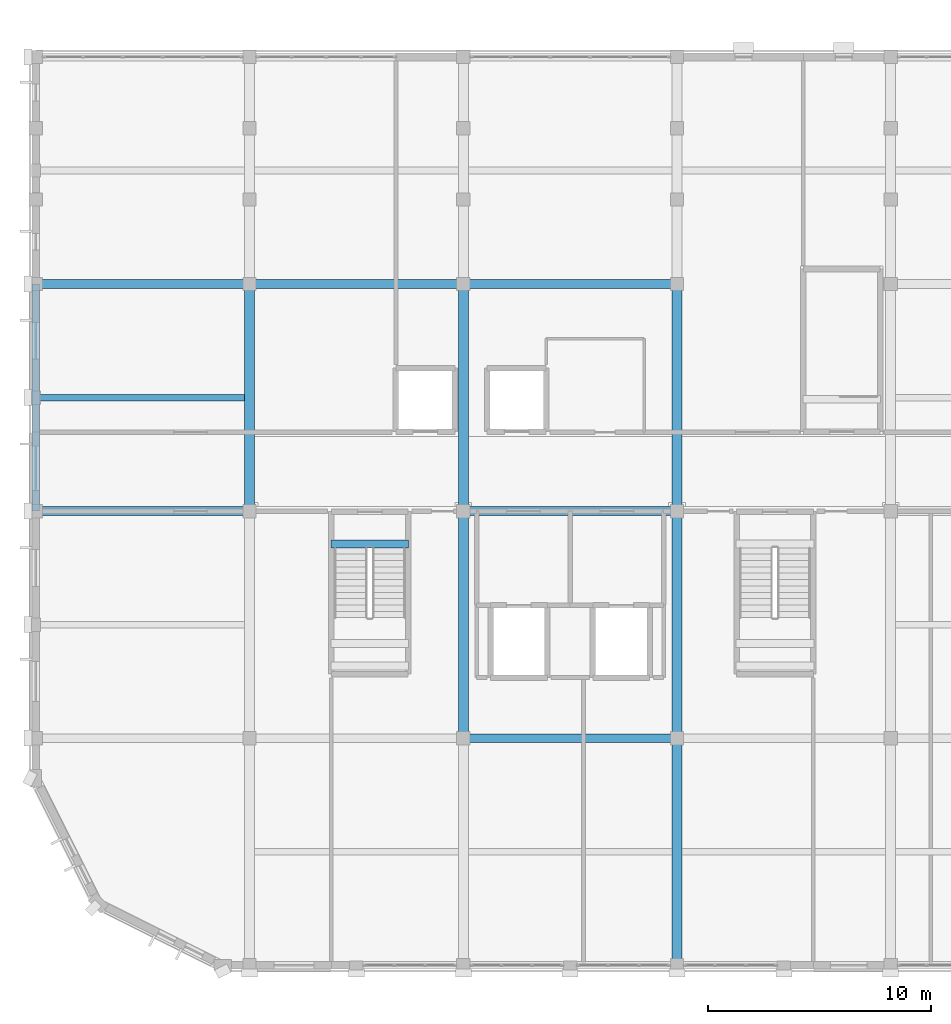
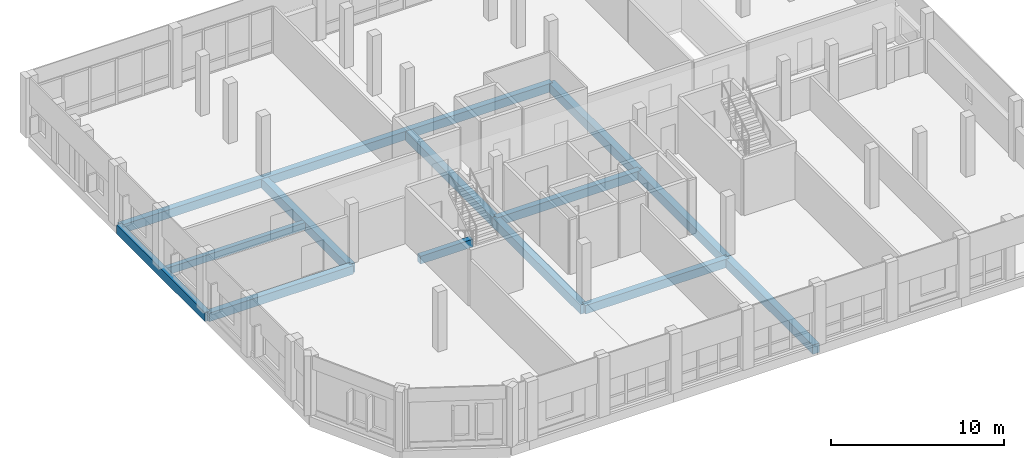
# One storey, part 13 of 93: 15 beams.
"""IFC4 building model written with IfcOpenShell, lengths in metres."""

from ifc_helpers import new_model, si_unit, direction, frame, origin, origin_2d, place, context, subcontext, project, spatial, rectangle, extrude, material, material_profile, profile_set, type_object, element, save


model = new_model("IFC4")

# Units and contexts
model_context = context("Model", 3, precision=1e-05, world=origin(), true_north=direction((0.0, 1.0)))
body_context = subcontext(model_context, "Body", "Model", "MODEL_VIEW")
ifc_project = project(units=[si_unit("LENGTHUNIT", "METRE"), si_unit("AREAUNIT", "SQUARE_METRE"), si_unit("VOLUMEUNIT", "CUBIC_METRE"), si_unit("PLANEANGLEUNIT", "RADIAN"), si_unit("MASSUNIT", "GRAM", prefix="KILO")], contexts=[model_context])

# Site, building, storey
site_placement = place(None, origin())
site = spatial("IfcSite", under=ifc_project, at=site_placement, CompositionType="ELEMENT")
building_placement = place(site_placement, origin())
building = spatial("IfcBuilding", under=site, at=building_placement, Name="Vondelvale Polytechnic", CompositionType="ELEMENT")
storey_placement = place(building_placement, frame((0.0, 0.0, 18.0)))
storey = spatial("IfcBuildingStorey", under=building, at=storey_placement, Name="L04", CompositionType="ELEMENT", Elevation=18.0)

# Beams
ifc_material_1 = material(Name="Concrete N40 (f'c = 40 MPa)", Category="concrete")
ifc_material_profile_1 = material_profile(ifc_material_1, rectangle(XDim=0.35009765625, YDim=0.550048828125, at=origin_2d()), Name="RC-BM-350x550")
ifc_profile_set_1 = profile_set([ifc_material_profile_1], Name="Concrete N40 (f'c = 40 MPa)")
beam_type_1 = type_object("IfcBeamType", Name="BM-RC350x550", PredefinedType="BEAM", material=ifc_profile_set_1)
beam_1_placement = place(storey_placement, frame((13.25, 18.925048828125, -0.27490234375), z_axis=(1.0, 0.0, 0.0), x_axis=(0.0, 1.0, 0.0)))
element("IfcBeam", 1, at=beam_1_placement, inside=storey, type_object=beam_type_1, Name="L04 STHD B-06", PredefinedType="BEAM", context=body_context, shape_type="SweptSolid", body=[
    extrude(rectangle(XDim=0.35009765625, YDim=0.550048828125, at=origin_2d()), origin(), (0.0, 0.0, 1.0), 3.5),
])
ifc_material_profile_2 = material_profile(ifc_material_1, rectangle(XDim=0.39990234375, YDim=0.60009765625, at=origin_2d()), Name="RC-BM-400x600")
ifc_profile_set_2 = profile_set([ifc_material_profile_2], Name="Concrete N40 (f'c = 40 MPa)")
beam_type_2 = type_object("IfcBeamType", Name="BM-RC400x600", PredefinedType="BEAM", material=ifc_profile_set_2)
for number, where, z_axis, x_axis, name in (
    (2, (19.199951171875, 10.199951171875, -0.550048828125), (1.0, 0.0, 0.0), (0.0, 1.0, 0.0), "L04 B B-05"),
    (3, (0.0, 20.39990234375, -0.550048828125), (1.0, 0.0, 0.0), (0.0, 1.0, 0.0), "L04 B B-05"),
    (4, (19.199951171875, 20.39990234375, -0.550048828125), (1.0, 0.0, 0.0), (0.0, 1.0, 0.0), "L04 B B-05"),
    (5, (0.0, 30.60009765625, -0.550048828125), (1.0, 0.0, 0.0), (0.0, 1.0, 0.0), "L04 B B-05"),
):
    element("IfcBeam", number, at=place(storey_placement, frame(where, z_axis=z_axis, x_axis=x_axis)), inside=storey, type_object=beam_type_2, Name=name, PredefinedType="BEAM", context=body_context, shape_type="SweptSolid", body=[
        extrude(rectangle(XDim=0.39990234375, YDim=0.60009765625, at=origin_2d()), origin(), (0.0, 0.0, 1.0), 9.60009765625),
    ])
beam_2_placement = place(storey_placement, frame((9.60009765625, 30.60009765625, -0.550048828125), z_axis=(1.0, 0.0, 0.0), x_axis=(0.0, 1.0, 0.0)))
element("IfcBeam", 6, at=beam_2_placement, inside=storey, type_object=beam_type_2, Name="L04 B B-05", PredefinedType="BEAM", context=body_context, shape_type="SweptSolid", body=[
    extrude(rectangle(XDim=0.39990234375, YDim=0.60009765625, at=origin_2d()), origin(), (0.0, 0.0, 1.0), 9.599853515625),
])
beam_3_placement = place(storey_placement, frame((19.199951171875, 30.60009765625, -0.550048828125), z_axis=(1.0, 0.0, 0.0), x_axis=(0.0, 1.0, 0.0)))
element("IfcBeam", 7, at=beam_3_placement, inside=storey, type_object=beam_type_2, Name="L04 B B-05", PredefinedType="BEAM", context=body_context, shape_type="SweptSolid", body=[
    extrude(rectangle(XDim=0.39990234375, YDim=0.60009765625, at=origin_2d()), origin(), (0.0, 0.0, 1.0), 9.60009765625),
])
ifc_material_profile_3 = material_profile(ifc_material_1, rectangle(XDim=0.449951171875, YDim=0.64990234375, at=origin_2d()), Name="RC-BM-450x650")
ifc_profile_set_3 = profile_set([ifc_material_profile_3], Name="Concrete N40 (f'c = 40 MPa)")
beam_type_3 = type_object("IfcBeamType", Name="BM-RC450x650", PredefinedType="BEAM", material=ifc_profile_set_3)
beam_4_placement = place(storey_placement, frame((9.60009765625, 20.39990234375, -0.574951171875), z_axis=(0.0, 1.0, 0.0), x_axis=(-1.0, 0.0, 0.0)))
element("IfcBeam", 8, at=beam_4_placement, inside=storey, type_object=beam_type_3, Name="L04 B B-04", PredefinedType="BEAM", context=body_context, shape_type="SweptSolid", body=[
    extrude(rectangle(XDim=0.449951171875, YDim=0.64990234375, at=origin_2d()), origin(), (0.0, 0.0, 1.0), 10.2001953125),
])
beam_5_placement = place(storey_placement, frame((19.199951171875, 10.199951171875, -0.574951171875), z_axis=(0.0, 1.0, 0.0), x_axis=(-1.0, 0.0, 0.0)))
element("IfcBeam", 9, at=beam_5_placement, inside=storey, type_object=beam_type_3, Name="L04 B B-04", PredefinedType="BEAM", context=body_context, shape_type="SweptSolid", body=[
    extrude(rectangle(XDim=0.449951171875, YDim=0.64990234375, at=origin_2d()), origin(), (0.0, 0.0, 1.0), 10.199951171875),
])
beam_6_placement = place(storey_placement, frame((19.199951171875, 20.39990234375, -0.574951171875), z_axis=(0.0, 1.0, 0.0), x_axis=(-1.0, 0.0, 0.0)))
element("IfcBeam", 10, at=beam_6_placement, inside=storey, type_object=beam_type_3, Name="L04 B B-04", PredefinedType="BEAM", context=body_context, shape_type="SweptSolid", body=[
    extrude(rectangle(XDim=0.449951171875, YDim=0.64990234375, at=origin_2d()), origin(), (0.0, 0.0, 1.0), 10.2001953125),
])
for number, where, z_axis, x_axis, name in (
    (11, (28.800048828125, 0.0, -0.574951171875), (0.0, 1.0, 0.0), (-1.0, 0.0, 0.0), "L04 B B-04"),
    (12, (28.800048828125, 10.199951171875, -0.574951171875), (0.0, 1.0, 0.0), (-1.0, 0.0, 0.0), "L04 B B-04"),
):
    element("IfcBeam", number, at=place(storey_placement, frame(where, z_axis=z_axis, x_axis=x_axis)), inside=storey, type_object=beam_type_3, Name=name, PredefinedType="BEAM", context=body_context, shape_type="SweptSolid", body=[
        extrude(rectangle(XDim=0.449951171875, YDim=0.64990234375, at=origin_2d()), origin(), (0.0, 0.0, 1.0), 10.199951171875),
    ])
beam_7_placement = place(storey_placement, frame((28.800048828125, 20.39990234375, -0.574951171875), z_axis=(0.0, 1.0, 0.0), x_axis=(-1.0, 0.0, 0.0)))
element("IfcBeam", 13, at=beam_7_placement, inside=storey, type_object=beam_type_3, Name="L04 B B-04", PredefinedType="BEAM", context=body_context, shape_type="SweptSolid", body=[
    extrude(rectangle(XDim=0.449951171875, YDim=0.64990234375, at=origin_2d()), origin(), (0.0, 0.0, 1.0), 10.2001953125),
])
ifc_material_profile_4 = material_profile(ifc_material_1, rectangle(XDim=0.300048828125, YDim=0.5, at=origin_2d()), Name="RC-JST-300x500")
ifc_profile_set_4 = profile_set([ifc_material_profile_4], Name="Concrete N40 (f'c = 40 MPa)")
beam_type_4 = type_object("IfcBeamType", Name="JST-RC300x500", PredefinedType="JOIST", material=ifc_profile_set_4)
beam_8_placement = place(storey_placement, frame((0.175048828125, 25.5, -0.5), z_axis=(1.0, 0.0, 0.0), x_axis=(0.0, 1.0, 0.0)))
element("IfcBeam", 14, at=beam_8_placement, inside=storey, type_object=beam_type_4, Name="L04 J J-02", PredefinedType="JOIST", context=body_context, shape_type="SweptSolid", body=[
    extrude(rectangle(XDim=0.300048828125, YDim=0.5, at=origin_2d()), origin(), (0.0, 0.0, 1.0), 9.199951171875),
])
ifc_material_2 = material(Name="Precast concrete N40 (f'c = 40 MPa)", Category="concrete")
ifc_material_profile_5 = material_profile(ifc_material_2, rectangle(XDim=0.35009765625, YDim=0.64990234375, at=origin_2d()), Name="RC-SPN-350x650")
ifc_profile_set_5 = profile_set([ifc_material_profile_5], Name="Precast concrete N40 (f'c = 40 MPa)")
beam_type_5 = type_object("IfcBeamType", Name="SPN-PRE350x650", PredefinedType="SPANDREL", material=ifc_profile_set_5)
beam_9_placement = place(storey_placement, frame((0.0, 20.39990234375, -0.574951171875), z_axis=(0.0, 1.0, 0.0), x_axis=(-1.0, 0.0, 0.0)))
element("IfcBeam", 15, at=beam_9_placement, inside=storey, type_object=beam_type_5, Name="L04 B SP-02", PredefinedType="SPANDREL", context=body_context, shape_type="SweptSolid", body=[
    extrude(rectangle(XDim=0.35009765625, YDim=0.64990234375, at=origin_2d()), origin(), (0.0, 0.0, 1.0), 10.2001953125),
])

save(model, "model.ifc")
